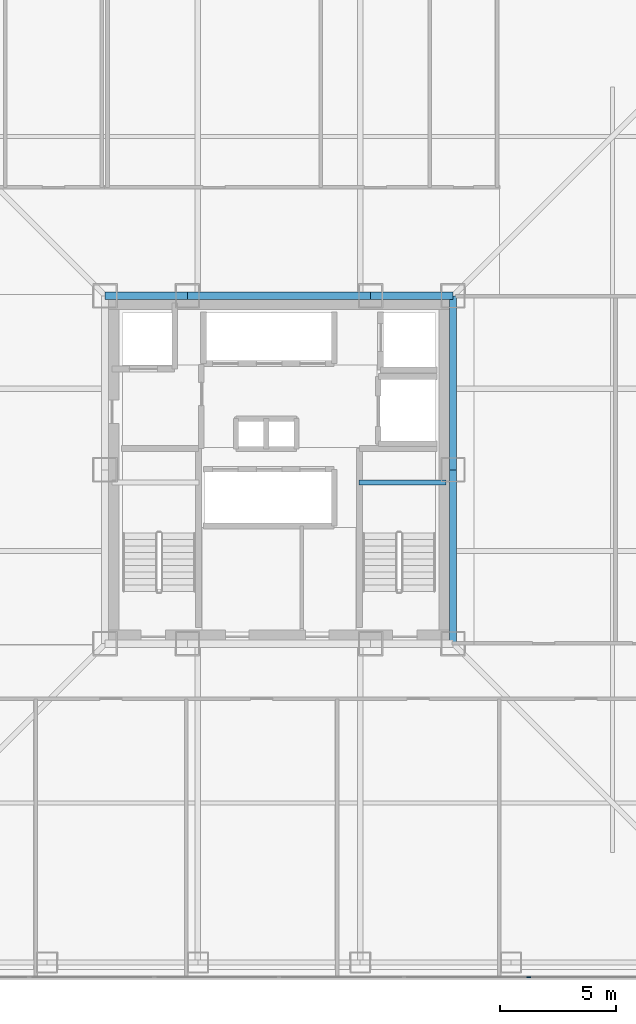
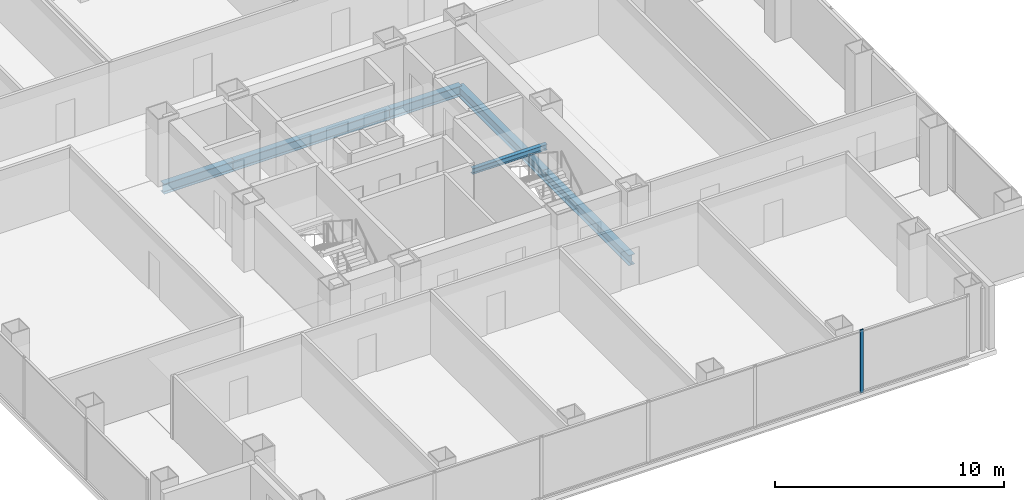
# One storey, part 6 of 17: 6 beams, 1 member, 1 element without a shape of its own.
"""IFC4 building model written with IfcOpenShell, lengths in metres."""

from ifc_helpers import new_model, si_unit, direction, frame, origin, origin_2d, place, context, subcontext, project, spatial, rectangle, i_section, extrude, material, layer, layer_set, material_profile, profile_set, type_object, element, aggregate, save


model = new_model("IFC4")

# Units and contexts
model_context = context("Model", 3, precision=1e-05, world=origin(), true_north=direction((0.0, 1.0)))
body_context = subcontext(model_context, "Body", "Model", "MODEL_VIEW")
ifc_project = project(units=[si_unit("LENGTHUNIT", "METRE"), si_unit("AREAUNIT", "SQUARE_METRE"), si_unit("VOLUMEUNIT", "CUBIC_METRE"), si_unit("PLANEANGLEUNIT", "RADIAN"), si_unit("MASSUNIT", "GRAM", prefix="KILO")], contexts=[model_context])

# Site, building, storey
site_placement = place(None, origin())
site = spatial("IfcSite", under=ifc_project, at=site_placement, CompositionType="ELEMENT")
building_placement = place(site_placement, origin())
building = spatial("IfcBuilding", under=site, at=building_placement, Name="Trevonay Congress Spire", CompositionType="ELEMENT")
storey_placement = place(building_placement, frame((0.0, 0.0, 108.39990234375)))
storey = spatial("IfcBuildingStorey", under=building, at=storey_placement, Name="L27", CompositionType="ELEMENT", Elevation=108.39990234375)

# Beams
ifc_material_1 = material(Name="Steel ASTM A572 Grade 50", Category="steel")
ifc_material_profile_1 = material_profile(ifc_material_1, i_section(OverallWidth=0.31201171875, OverallDepth=0.54296875, WebThickness=0.0126953125, FlangeThickness=0.020263671875, FilletRadius=0.014892578125, at=origin_2d()), Name="W530x150")
ifc_profile_set_1 = profile_set([ifc_material_profile_1], Name="Steel ASTM A572 Grade 50")
beam_type_1 = type_object("IfcBeamType", Name="BM-GIRD-W530X150", PredefinedType="BEAM", material=ifc_profile_set_1)
beam_1_placement = place(storey_placement, frame((-7.5, 7.5, -0.511474609375), z_axis=(1.0, 0.0, 0.0), x_axis=(0.0, 1.0, 0.0)))
element("IfcBeam", 1, at=beam_1_placement, inside=storey, type_object=beam_type_1, Name="L27 structural beam BM-L27-CR-N1", PredefinedType="BEAM", context=body_context, shape_type="SweptSolid", body=[
    extrude(i_section(OverallWidth=0.31201171875, OverallDepth=0.54296875, WebThickness=0.0126953125, FlangeThickness=0.020263671875, FilletRadius=0.014892578125, at=origin_2d()), origin(), (0.0, 0.0, 1.0), 3.550048828125),
])
beam_2_placement = place(storey_placement, frame((-3.949951171875, 7.5, -0.511474609375), z_axis=(1.0, 0.0, 0.0), x_axis=(0.0, 1.0, 0.0)))
element("IfcBeam", 2, at=beam_2_placement, inside=storey, type_object=beam_type_1, Name="L27 structural beam BM-L27-CR-N2", PredefinedType="BEAM", context=body_context, shape_type="SweptSolid", body=[
    extrude(i_section(OverallWidth=0.31201171875, OverallDepth=0.54296875, WebThickness=0.0126953125, FlangeThickness=0.020263671875, FilletRadius=0.014892578125, at=origin_2d()), origin(), (0.0, 0.0, 1.0), 7.89990234375),
])
beam_3_placement = place(storey_placement, frame((3.949951171875, 7.5, -0.511474609375), z_axis=(1.0, 0.0, 0.0), x_axis=(0.0, 1.0, 0.0)))
element("IfcBeam", 3, at=beam_3_placement, inside=storey, type_object=beam_type_1, Name="L27 structural beam BM-L27-CR-N3", PredefinedType="BEAM", context=body_context, shape_type="SweptSolid", body=[
    extrude(i_section(OverallWidth=0.31201171875, OverallDepth=0.54296875, WebThickness=0.0126953125, FlangeThickness=0.020263671875, FilletRadius=0.014892578125, at=origin_2d()), origin(), (0.0, 0.0, 1.0), 3.550048828125),
])
for number, where, z_axis, x_axis, name in (
    (4, (7.5, -7.5, -0.511474609375), (0.0, 1.0, 0.0), (-1.0, 0.0, 0.0), "L27 structural beam BM-L27-CR-E1"),
    (5, (7.5, 0.0, -0.511474609375), (0.0, 1.0, 0.0), (-1.0, 0.0, 0.0), "L27 structural beam BM-L27-CR-E2"),
):
    element("IfcBeam", number, at=place(storey_placement, frame(where, z_axis=z_axis, x_axis=x_axis)), inside=storey, type_object=beam_type_1, Name=name, PredefinedType="BEAM", context=body_context, shape_type="SweptSolid", body=[
        extrude(i_section(OverallWidth=0.31201171875, OverallDepth=0.54296875, WebThickness=0.0126953125, FlangeThickness=0.020263671875, FilletRadius=0.014892578125, at=origin_2d()), origin(), (0.0, 0.0, 1.0), 7.5),
    ])

# Curtain wall, member
ifc_material_2 = material(Name="Pale Anodised Aluminium EN AW-6063-T6", Category="aluminium")
ifc_layer = layer(ifc_material_2, 0.175048828125, Name="Pale Anodised Aluminium EN AW-6063-T6")
ifc_layer_set = layer_set([ifc_layer], Name="Pale Anodised Aluminium EN AW-6063-T6")
curtain_wall_type = type_object("IfcCurtainWallType", Name="CW-SYS03-CONGRESS-PALE-METAL", PredefinedType="NOTDEFINED", material=ifc_layer_set)
curtain_wall_placement = place(storey_placement, origin())
curtain_wall = element("IfcCurtainWall", 6, at=curtain_wall_placement, inside=storey, type_object=curtain_wall_type, Name="L27 S unitised curtain wall", PredefinedType="NOTDEFINED")
ifc_material_profile_2 = material_profile(ifc_material_2, rectangle(XDim=0.06005859375, YDim=0.159912109375, at=origin_2d()), Name="CW-MULLION-160-ALUMINIUM")
ifc_profile_set_2 = profile_set([ifc_material_profile_2], Name="Pale Anodised Aluminium EN AW-6063-T6")
member_type = type_object("IfcMemberType", Name="CW-MULLION-160-ALUMINIUM", PredefinedType="MULLION", material=ifc_profile_set_2)
member_placement = place(storey_placement, frame((10.7666015625, -21.8798828125, 0.0), z_axis=(0.0, 0.0, 1.0), x_axis=(0.0, 1.0, 0.0)))
member = element("IfcMember", 7, at=member_placement, type_object=member_type, Name="CW03 mullion 6", PredefinedType="MULLION", context=body_context, shape_type="SweptSolid", body=[
    extrude(rectangle(XDim=0.06005859375, YDim=0.159912109375, at=origin_2d()), origin(), (0.0, 0.0, 1.0), 3.360107421875),
])
aggregate(curtain_wall, [member])

# Beam
ifc_material_profile_3 = material_profile(ifc_material_1, i_section(OverallWidth=0.2041015625, OverallDepth=0.305908203125, WebThickness=0.008544921875, FlangeThickness=0.0146484375, FilletRadius=0.010986328125, at=origin_2d()), Name="W310x67")
ifc_profile_set_3 = profile_set([ifc_material_profile_3], Name="Steel ASTM A572 Grade 50")
beam_type_2 = type_object("IfcBeamType", Name="LN-CORE-W310X67", PredefinedType="LINTEL", material=ifc_profile_set_3)
beam_4_placement = place(storey_placement, frame((3.449951171875, -0.550048828125, 1.447021484375), z_axis=(1.0, 0.0, 0.0), x_axis=(0.0, 1.0, 0.0)))
element("IfcBeam", 8, at=beam_4_placement, inside=storey, type_object=beam_type_2, Name="L27 structural beam BM-L27-HL-ST2", PredefinedType="LINTEL", context=body_context, shape_type="SweptSolid", body=[
    extrude(i_section(OverallWidth=0.2041015625, OverallDepth=0.305908203125, WebThickness=0.008544921875, FlangeThickness=0.0146484375, FilletRadius=0.010986328125, at=origin_2d()), origin(), (0.0, 0.0, 1.0), 3.75),
])

save(model, "model.ifc")
